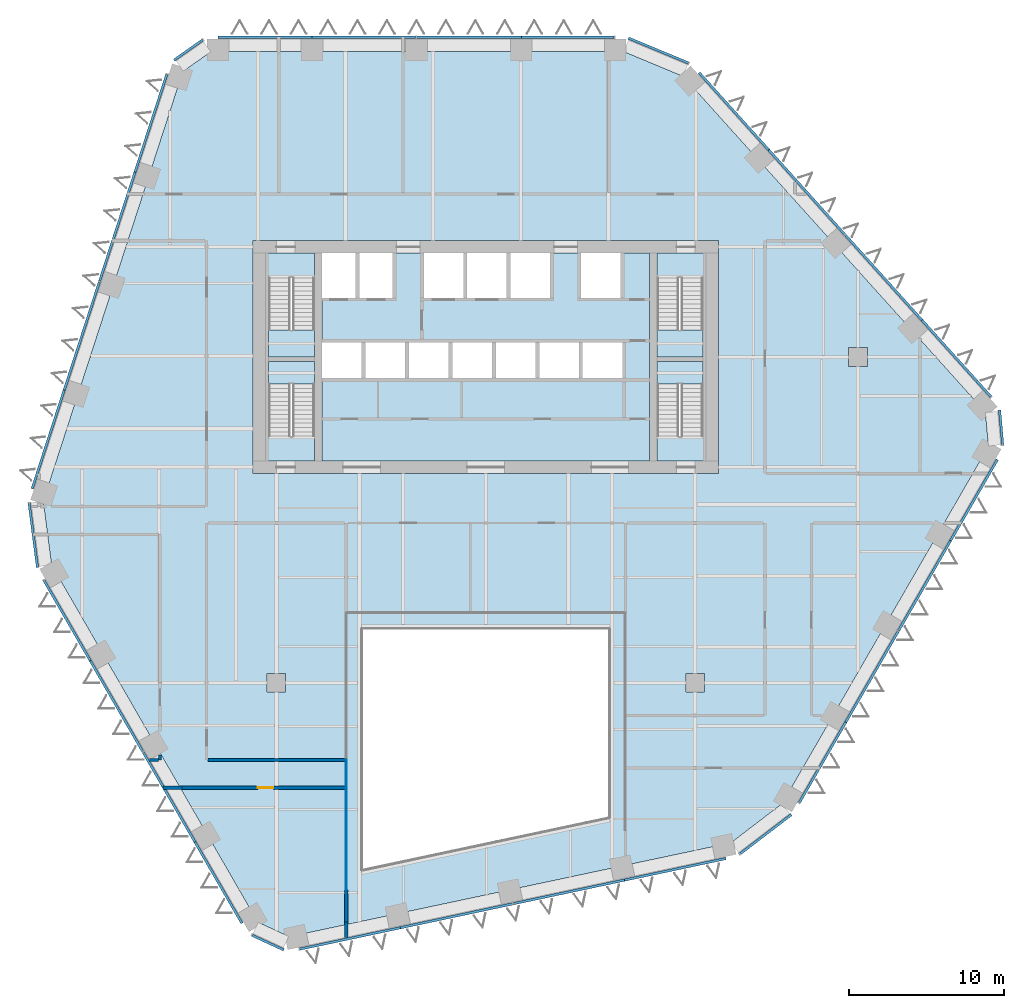
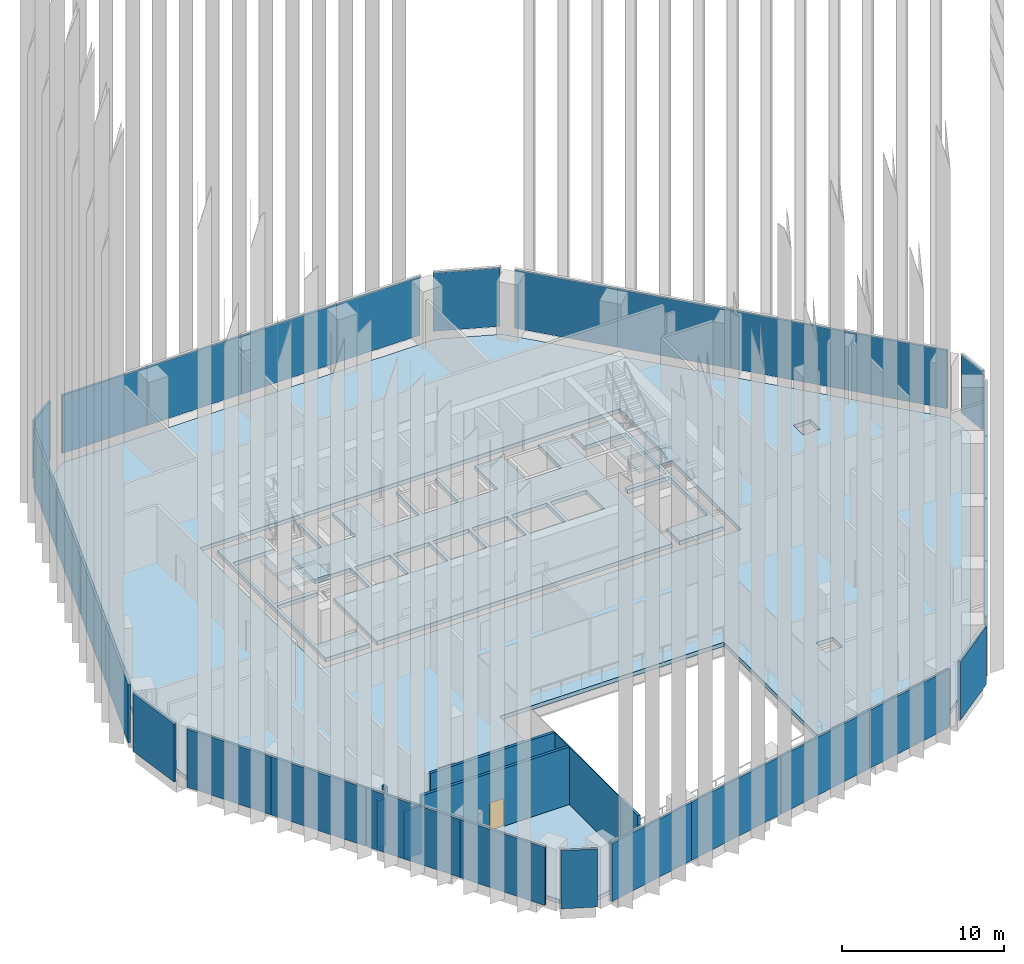
# One storey, part 10 of 18: 30 plates, 9 walls, 8 slabs, 1 door, 1 opening, 16 elements without a shape of their own.
"""IFC4 building model written with IfcOpenShell, lengths in metres."""

from ifc_helpers import new_model, si_unit, direction, frame, frame_2d, origin, origin_2d, place, context, subcontext, project, spatial, polyline, rectangle, outline, extrude, material, layer, layer_set, type_object, element, fill, aggregate, save


model = new_model("IFC4")

# Units and contexts
model_context = context("Model", 3, precision=1e-05, world=origin(), true_north=direction((0.0, 1.0)))
body_context = subcontext(model_context, "Body", "Model", "MODEL_VIEW")
ifc_project = project(units=[si_unit("LENGTHUNIT", "METRE"), si_unit("AREAUNIT", "SQUARE_METRE"), si_unit("VOLUMEUNIT", "CUBIC_METRE"), si_unit("PLANEANGLEUNIT", "RADIAN"), si_unit("MASSUNIT", "GRAM", prefix="KILO")], contexts=[model_context])

# Site, building, storey
site_placement = place(None, origin())
site = spatial("IfcSite", under=ifc_project, at=site_placement, CompositionType="ELEMENT")
building_placement = place(site_placement, origin())
building = spatial("IfcBuilding", under=site, at=building_placement, Name="Isthmus Gate Tower", CompositionType="ELEMENT")
storey_placement = place(building_placement, frame((0.0, 0.0, 166.300048828125)))
storey = spatial("IfcBuildingStorey", under=building, at=storey_placement, Name="L41", CompositionType="ELEMENT", Elevation=166.300048828125)

# Slabs
ifc_material_1 = material(Name="Concrete f'c 40 MPa", Category="concrete")
ifc_layer_1 = layer(ifc_material_1, 0.300048828125)
ifc_layer_set_1 = layer_set([ifc_layer_1], Name="CORE FLOOR SLAB 300")
slab_type_1 = type_object("IfcSlabType", Name="CORE FLOOR SLAB 300", PredefinedType="FLOOR", material=ifc_layer_set_1)
slab_1_placement = place(storey_placement, frame((0.0, 0.0, -0.300048828125)))
element("IfcSlab", 1, at=slab_1_placement, inside=storey, type_object=slab_type_1, Name="L41 core floor", PredefinedType="FLOOR", context=body_context, shape_type="SweptSolid", body=[
    extrude(outline(polyline([(-11.050048828125, 0.800048828125), (-11.050048828125, 2.402099609375), (-14.0, 2.402099609375), (-14.0, 7.199951171875), (-11.050048828125, 7.199951171875), (-11.050048828125, 7.5), (-14.0, 7.5), (-14.0, 12.597900390625), (-11.050048828125, 12.597900390625), (-11.050048828125, 14.199951171875), (-14.199951171875, 14.199951171875), (-14.199951171875, 0.800048828125), (-11.050048828125, 0.800048828125)])), origin(), (0.0, 0.0, 1.0), 0.300048828125),
])
slab_2_placement = place(storey_placement, frame((0.0, 0.0, -0.300048828125)))
element("IfcSlab", 2, at=slab_2_placement, inside=storey, type_object=slab_type_1, Name="L41 core floor", PredefinedType="FLOOR", context=body_context, shape_type="SweptSolid", body=[
    extrude(outline(polyline([(10.550048828125, 14.199951171875), (8.699951171875, 14.199951171875), (8.699951171875, 11.300048828125), (6.14990234375, 11.300048828125), (6.14990234375, 14.199951171875), (4.14990234375, 14.199951171875), (4.14990234375, 11.300048828125), (1.60009765625, 11.300048828125), (1.60009765625, 14.199951171875), (1.35009765625, 14.199951171875), (1.35009765625, 11.300048828125), (-1.199951171875, 11.300048828125), (-1.199951171875, 14.199951171875), (-1.449951171875, 14.199951171875), (-1.449951171875, 11.300048828125), (-4.0, 11.300048828125), (-4.0, 14.199951171875), (-6.0, 14.199951171875), (-6.0, 11.300048828125), (-8.14990234375, 11.300048828125), (-8.14990234375, 14.199951171875), (-8.39990234375, 14.199951171875), (-8.39990234375, 11.300048828125), (-10.550048828125, 11.300048828125), (-10.550048828125, 8.449951171875), (-8.0, 8.449951171875), (-8.0, 6.14990234375), (-10.550048828125, 6.14990234375), (-10.550048828125, 0.800048828125), (10.550048828125, 0.800048828125), (10.550048828125, 14.199951171875)]), holes=[polyline([(-5.199951171875, 8.449951171875), (-5.199951171875, 6.14990234375), (-7.75, 6.14990234375), (-7.75, 8.449951171875), (-5.199951171875, 8.449951171875)]), polyline([(-2.39990234375, 8.449951171875), (-2.39990234375, 6.14990234375), (-4.949951171875, 6.14990234375), (-4.949951171875, 8.449951171875), (-2.39990234375, 8.449951171875)]), polyline([(0.39990234375, 8.449951171875), (0.39990234375, 6.14990234375), (-2.14990234375, 6.14990234375), (-2.14990234375, 8.449951171875), (0.39990234375, 8.449951171875)]), polyline([(3.199951171875, 8.449951171875), (3.199951171875, 6.14990234375), (0.64990234375, 6.14990234375), (0.64990234375, 8.449951171875), (3.199951171875, 8.449951171875)]), polyline([(6.0, 8.449951171875), (6.0, 6.14990234375), (3.449951171875, 6.14990234375), (3.449951171875, 8.449951171875), (6.0, 8.449951171875)]), polyline([(8.800048828125, 8.449951171875), (8.800048828125, 6.14990234375), (6.25, 6.14990234375), (6.25, 8.449951171875), (8.800048828125, 8.449951171875)])]), origin(), (0.0, 0.0, 1.0), 0.300048828125),
])
slab_3_placement = place(storey_placement, frame((0.0, 0.0, -0.300048828125)))
element("IfcSlab", 3, at=slab_3_placement, inside=storey, type_object=slab_type_1, Name="L41 core floor", PredefinedType="FLOOR", context=body_context, shape_type="SweptSolid", body=[
    extrude(outline(polyline([(11.050048828125, 14.199951171875), (11.050048828125, 12.597900390625), (14.0, 12.597900390625), (14.0, 7.5), (11.050048828125, 7.5), (11.050048828125, 7.199951171875), (14.0, 7.199951171875), (14.0, 2.402099609375), (11.050048828125, 2.402099609375), (11.050048828125, 0.800048828125), (14.199951171875, 0.800048828125), (14.199951171875, 14.199951171875), (11.050048828125, 14.199951171875)])), origin(), (0.0, 0.0, 1.0), 0.300048828125),
])

# Curtain wall, plates
ifc_material_2 = material(Name="Aluminium, pale champagne anodised", Category="aluminium")
ifc_layer_2 = layer(ifc_material_2, 0.199951171875)
ifc_layer_set_2 = layer_set([ifc_layer_2], Name="CW-2 LOUVRE CURTAIN WALL 200 DEEP")
curtain_wall_type = type_object("IfcCurtainWallType", Name="CW-2 LOUVRE CURTAIN WALL 200 DEEP", PredefinedType="NOTDEFINED", material=ifc_layer_set_2)
curtain_wall_1_placement = place(storey_placement, origin())
curtain_wall_1 = element("IfcCurtainWall", 4, at=curtain_wall_1_placement, inside=storey, type_object=curtain_wall_type, Name="CW-2 N L41", PredefinedType="NOTDEFINED")
ifc_material_3 = material(Name="Aluminium louvre blades, pale champagne anodised", Category="aluminium")
ifc_layer_3 = layer(ifc_material_3, 0.159912109375)
ifc_layer_set_3 = layer_set([ifc_layer_3], Name="CW-2 LOUVRE PANEL 160")
plate_type = type_object("IfcPlateType", Name="CW-2 LOUVRE PANEL 160", PredefinedType="CURTAIN_PANEL", material=ifc_layer_set_3)
plate_1_placement = place(storey_placement, frame((5.283447265625, 28.1201171875, 0.0), z_axis=(0.0, 0.0, 1.0), x_axis=(-1.0, 0.0, 0.0)))
plate_1 = element("IfcPlate", 5, at=plate_1_placement, type_object=plate_type, Name="CW-2 louvre panel", PredefinedType="CURTAIN_PANEL", context=body_context, shape_type="SweptSolid", body=[
    extrude(rectangle(XDim=5.990234375, YDim=0.159912109375, at=origin_2d()), origin(), (0.0, 0.0, 1.0), 4.389892578125),
])
plate_2_placement = place(storey_placement, frame((-1.086669921875, 28.1201171875, 0.0), z_axis=(0.0, 0.0, 1.0), x_axis=(-1.0, 0.0, 0.0)))
plate_2 = element("IfcPlate", 6, at=plate_2_placement, type_object=plate_type, Name="CW-2 louvre panel", PredefinedType="CURTAIN_PANEL", context=body_context, shape_type="SweptSolid", body=[
    extrude(rectangle(XDim=6.750244140625, YDim=0.159912109375, at=origin_2d()), origin(), (0.0, 0.0, 1.0), 4.389892578125),
])
plate_3_placement = place(storey_placement, frame((-7.86669921875, 28.1201171875, 0.0), z_axis=(0.0, 0.0, 1.0), x_axis=(-1.0, 0.0, 0.0)))
plate_3 = element("IfcPlate", 7, at=plate_3_placement, type_object=plate_type, Name="CW-2 louvre panel", PredefinedType="CURTAIN_PANEL", context=body_context, shape_type="SweptSolid", body=[
    extrude(rectangle(XDim=6.690185546875, YDim=0.159912109375, at=origin_2d()), origin(), (0.0, 0.0, 1.0), 4.389892578125),
])
plate_4_placement = place(storey_placement, frame((-14.23681640625, 28.1201171875, 0.0), z_axis=(0.0, 0.0, 1.0), x_axis=(-1.0, 0.0, 0.0)))
plate_4 = element("IfcPlate", 8, at=plate_4_placement, type_object=plate_type, Name="CW-2 louvre panel", PredefinedType="CURTAIN_PANEL", context=body_context, shape_type="SweptSolid", body=[
    extrude(rectangle(XDim=6.050048828125, YDim=0.159912109375, at=origin_2d()), origin(), (0.0, 0.0, 1.0), 4.389892578125),
])
aggregate(curtain_wall_1, [plate_1, plate_2, plate_3, plate_4])

# Curtain wall, plate
curtain_wall_2_placement = place(storey_placement, origin())
curtain_wall_2 = element("IfcCurtainWall", 9, at=curtain_wall_2_placement, inside=storey, type_object=curtain_wall_type, Name="CW-2 N-NW L41", PredefinedType="NOTDEFINED")
plate_5_placement = place(storey_placement, frame((-19.17626953125, 27.29248046875, 0.0), z_axis=(0.0, 0.0, 1.0), x_axis=(-0.81785959165, -0.57541783805, 0.0)))
plate_5 = element("IfcPlate", 10, at=plate_5_placement, type_object=plate_type, Name="CW-2 louvre panel", PredefinedType="CURTAIN_PANEL", context=body_context, shape_type="SweptSolid", body=[
    extrude(rectangle(XDim=2.258544921875, YDim=0.159912109375, at=origin_2d()), origin(), (0.0, 0.0, 1.0), 4.389892578125),
])
aggregate(curtain_wall_2, [plate_5])

# Curtain wall, plates
curtain_wall_3_placement = place(storey_placement, origin())
curtain_wall_3 = element("IfcCurtainWall", 11, at=curtain_wall_3_placement, inside=storey, type_object=curtain_wall_type, Name="CW-2 NW L41", PredefinedType="NOTDEFINED")
plate_6_placement = place(storey_placement, frame((-21.58837890625, 22.576171875, 0.0), z_axis=(0.0, 0.0, 1.0), x_axis=(-0.309016994375, -0.951056516295, 0.0)))
plate_6 = element("IfcPlate", 12, at=plate_6_placement, type_object=plate_type, Name="CW-2 louvre panel", PredefinedType="CURTAIN_PANEL", context=body_context, shape_type="SweptSolid", body=[
    extrude(rectangle(XDim=6.630859375, YDim=0.159912109375, at=origin_2d()), origin(), (0.0, 0.0, 1.0), 4.389892578125),
])
plate_7_placement = place(storey_placement, frame((-23.7548828125, 15.908447265625, 0.0), z_axis=(0.0, 0.0, 1.0), x_axis=(-0.309016994375, -0.951056516295, 0.0)))
plate_7 = element("IfcPlate", 13, at=plate_7_placement, type_object=plate_type, Name="CW-2 louvre panel", PredefinedType="CURTAIN_PANEL", context=body_context, shape_type="SweptSolid", body=[
    extrude(rectangle(XDim=7.390869140625, YDim=0.159912109375, at=origin_2d()), origin(), (0.0, 0.0, 1.0), 4.389892578125),
])
plate_8_placement = place(storey_placement, frame((-26.0478515625, 8.850830078125, 0.0), z_axis=(0.0, 0.0, 1.0), x_axis=(-0.309016994375, -0.951056516295, 0.0)))
plate_8 = element("IfcPlate", 14, at=plate_8_placement, type_object=plate_type, Name="CW-2 louvre panel", PredefinedType="CURTAIN_PANEL", context=body_context, shape_type="SweptSolid", body=[
    extrude(rectangle(XDim=7.330810546875, YDim=0.159912109375, at=origin_2d()), origin(), (0.0, 0.0, 1.0), 4.389892578125),
])
plate_9_placement = place(storey_placement, frame((-28.21435546875, 2.18310546875, 0.0), z_axis=(0.0, 0.0, 1.0), x_axis=(-0.309016994375, -0.951056516295, 0.0)))
plate_9 = element("IfcPlate", 15, at=plate_9_placement, type_object=plate_type, Name="CW-2 louvre panel", PredefinedType="CURTAIN_PANEL", context=body_context, shape_type="SweptSolid", body=[
    extrude(rectangle(XDim=6.690673828125, YDim=0.159912109375, at=origin_2d()), origin(), (0.0, 0.0, 1.0), 4.389892578125),
])
aggregate(curtain_wall_3, [plate_6, plate_7, plate_8, plate_9])

# Curtain wall, plate
curtain_wall_4_placement = place(storey_placement, origin())
curtain_wall_4 = element("IfcCurtainWall", 16, at=curtain_wall_4_placement, inside=storey, type_object=curtain_wall_type, Name="CW-2 NW-SW L41", PredefinedType="NOTDEFINED")
plate_10_placement = place(storey_placement, frame((-29.173095703125, -3.990966796875, 0.0), z_axis=(0.0, 0.0, 1.0), x_axis=(0.129164534, -0.991623175988, 0.0)))
plate_10 = element("IfcPlate", 17, at=plate_10_placement, type_object=plate_type, Name="CW-2 louvre panel", PredefinedType="CURTAIN_PANEL", context=body_context, shape_type="SweptSolid", body=[
    extrude(rectangle(XDim=4.181396484375, YDim=0.159912109375, at=origin_2d()), origin(), (0.0, 0.0, 1.0), 4.389892578125),
])
aggregate(curtain_wall_4, [plate_10])

# Curtain wall, plates
curtain_wall_5_placement = place(storey_placement, origin())
curtain_wall_5 = element("IfcCurtainWall", 18, at=curtain_wall_5_placement, inside=storey, type_object=curtain_wall_type, Name="CW-2 SW L41", PredefinedType="NOTDEFINED")
plate_11_placement = place(storey_placement, frame((-26.994384765625, -9.484375, 0.0), z_axis=(0.0, 0.0, 1.0), x_axis=(0.5, -0.866025403784, 0.0)))
plate_11 = element("IfcPlate", 19, at=plate_11_placement, type_object=plate_type, Name="CW-2 louvre panel", PredefinedType="CURTAIN_PANEL", context=body_context, shape_type="SweptSolid", body=[
    extrude(rectangle(XDim=5.990234375, YDim=0.159912109375, at=origin_2d()), origin(), (0.0, 0.0, 1.0), 4.389892578125),
])
plate_12_placement = place(storey_placement, frame((-23.809326171875, -15.0009765625, 0.0), z_axis=(0.0, 0.0, 1.0), x_axis=(0.5, -0.866025403784, 0.0)))
plate_12 = element("IfcPlate", 20, at=plate_12_placement, type_object=plate_type, Name="CW-2 louvre panel", PredefinedType="CURTAIN_PANEL", context=body_context, shape_type="SweptSolid", body=[
    extrude(rectangle(XDim=6.750244140625, YDim=0.159912109375, at=origin_2d()), origin(), (0.0, 0.0, 1.0), 4.389892578125),
])
plate_13_placement = place(storey_placement, frame((-20.419189453125, -20.872802734375, 0.0), z_axis=(0.0, 0.0, 1.0), x_axis=(0.5, -0.866025403784, 0.0)))
plate_13 = element("IfcPlate", 21, at=plate_13_placement, type_object=plate_type, Name="CW-2 louvre panel", PredefinedType="CURTAIN_PANEL", context=body_context, shape_type="SweptSolid", body=[
    extrude(rectangle(XDim=6.690185546875, YDim=0.159912109375, at=origin_2d()), origin(), (0.0, 0.0, 1.0), 4.389892578125),
])
plate_14_placement = place(storey_placement, frame((-17.234130859375, -26.389404296875, 0.0), z_axis=(0.0, 0.0, 1.0), x_axis=(0.5, -0.866025403784, 0.0)))
plate_14 = element("IfcPlate", 22, at=plate_14_placement, type_object=plate_type, Name="CW-2 louvre panel", PredefinedType="CURTAIN_PANEL", context=body_context, shape_type="SweptSolid", body=[
    extrude(rectangle(XDim=6.050048828125, YDim=0.159912109375, at=origin_2d()), origin(), (0.0, 0.0, 1.0), 4.389892578125),
])
aggregate(curtain_wall_5, [plate_11, plate_12, plate_13, plate_14])

# Curtain wall, plate
curtain_wall_6_placement = place(storey_placement, origin())
curtain_wall_6 = element("IfcCurtainWall", 23, at=curtain_wall_6_placement, inside=storey, type_object=curtain_wall_type, Name="CW-2 SW-S L41", PredefinedType="NOTDEFINED")
plate_15_placement = place(storey_placement, frame((-14.0478515625, -30.25341796875, 0.0), z_axis=(0.0, 0.0, 1.0), x_axis=(0.907256261367, -0.420578264073, 0.0)))
plate_15 = element("IfcPlate", 24, at=plate_15_placement, type_object=plate_type, Name="CW-2 louvre panel", PredefinedType="CURTAIN_PANEL", context=body_context, shape_type="SweptSolid", body=[
    extrude(rectangle(XDim=2.258544921875, YDim=0.159912109375, at=origin_2d()), origin(), (0.0, 0.0, 1.0), 4.389892578125),
])
aggregate(curtain_wall_6, [plate_15])

# Curtain wall, plates
curtain_wall_7_placement = place(storey_placement, origin())
curtain_wall_7 = element("IfcCurtainWall", 25, at=curtain_wall_7_placement, inside=storey, type_object=curtain_wall_type, Name="CW-2 S L41", PredefinedType="NOTDEFINED")
plate_16_placement = place(storey_placement, frame((-8.75732421875, -29.984130859375, 0.0), z_axis=(0.0, 0.0, 1.0), x_axis=(0.978147600734, 0.207911690818, 0.0)))
plate_16 = element("IfcPlate", 26, at=plate_16_placement, type_object=plate_type, Name="CW-2 louvre panel", PredefinedType="CURTAIN_PANEL", context=body_context, shape_type="SweptSolid", body=[
    extrude(rectangle(XDim=6.630859375, YDim=0.159912109375, at=origin_2d()), origin(), (0.0, 0.0, 1.0), 4.389892578125),
])
plate_17_placement = place(storey_placement, frame((-1.899658203125, -28.5263671875, 0.0), z_axis=(0.0, 0.0, 1.0), x_axis=(0.978147600734, 0.207911690818, 0.0)))
plate_17 = element("IfcPlate", 27, at=plate_17_placement, type_object=plate_type, Name="CW-2 louvre panel", PredefinedType="CURTAIN_PANEL", context=body_context, shape_type="SweptSolid", body=[
    extrude(rectangle(XDim=7.390869140625, YDim=0.159912109375, at=origin_2d()), origin(), (0.0, 0.0, 1.0), 4.389892578125),
])
plate_18_placement = place(storey_placement, frame((5.35888671875, -26.983642578125, 0.0), z_axis=(0.0, 0.0, 1.0), x_axis=(0.978147600734, 0.207911690818, 0.0)))
plate_18 = element("IfcPlate", 28, at=plate_18_placement, type_object=plate_type, Name="CW-2 louvre panel", PredefinedType="CURTAIN_PANEL", context=body_context, shape_type="SweptSolid", body=[
    extrude(rectangle(XDim=7.330810546875, YDim=0.159912109375, at=origin_2d()), origin(), (0.0, 0.0, 1.0), 4.389892578125),
])
plate_19_placement = place(storey_placement, frame((12.216552734375, -25.52587890625, 0.0), z_axis=(0.0, 0.0, 1.0), x_axis=(0.978147600734, 0.207911690818, 0.0)))
plate_19 = element("IfcPlate", 29, at=plate_19_placement, type_object=plate_type, Name="CW-2 louvre panel", PredefinedType="CURTAIN_PANEL", context=body_context, shape_type="SweptSolid", body=[
    extrude(rectangle(XDim=6.690673828125, YDim=0.159912109375, at=origin_2d()), origin(), (0.0, 0.0, 1.0), 4.389892578125),
])
aggregate(curtain_wall_7, [plate_16, plate_17, plate_18, plate_19])

# Curtain wall, plate
curtain_wall_8_placement = place(storey_placement, origin())
curtain_wall_8 = element("IfcCurtainWall", 30, at=curtain_wall_8_placement, inside=storey, type_object=curtain_wall_type, Name="CW-2 S-SE L41", PredefinedType="NOTDEFINED")
plate_20_placement = place(storey_placement, frame((18.042724609375, -23.269287109375, 0.0), z_axis=(0.0, 0.0, 1.0), x_axis=(0.794188594387, 0.607671355706, 0.0)))
plate_20 = element("IfcPlate", 31, at=plate_20_placement, type_object=plate_type, Name="CW-2 louvre panel", PredefinedType="CURTAIN_PANEL", context=body_context, shape_type="SweptSolid", body=[
    extrude(rectangle(XDim=4.181396484375, YDim=0.159912109375, at=origin_2d()), origin(), (0.0, 0.0, 1.0), 4.389892578125),
])
aggregate(curtain_wall_8, [plate_20])

# Curtain wall, plates
curtain_wall_9_placement = place(storey_placement, origin())
curtain_wall_9 = element("IfcCurtainWall", 32, at=curtain_wall_9_placement, inside=storey, type_object=curtain_wall_type, Name="CW-2 SE L41", PredefinedType="NOTDEFINED")
plate_21_placement = place(storey_placement, frame((21.7109375, -18.6357421875, 0.0), z_axis=(0.0, 0.0, 1.0), x_axis=(0.5, 0.866025403784, 0.0)))
plate_21 = element("IfcPlate", 33, at=plate_21_placement, type_object=plate_type, Name="CW-2 louvre panel", PredefinedType="CURTAIN_PANEL", context=body_context, shape_type="SweptSolid", body=[
    extrude(rectangle(XDim=5.990234375, YDim=0.159912109375, at=origin_2d()), origin(), (0.0, 0.0, 1.0), 4.389892578125),
])
plate_22_placement = place(storey_placement, frame((24.89599609375, -13.118896484375, 0.0), z_axis=(0.0, 0.0, 1.0), x_axis=(0.5, 0.866025403784, 0.0)))
plate_22 = element("IfcPlate", 34, at=plate_22_placement, type_object=plate_type, Name="CW-2 louvre panel", PredefinedType="CURTAIN_PANEL", context=body_context, shape_type="SweptSolid", body=[
    extrude(rectangle(XDim=6.750244140625, YDim=0.159912109375, at=origin_2d()), origin(), (0.0, 0.0, 1.0), 4.389892578125),
])
plate_23_placement = place(storey_placement, frame((28.2861328125, -7.2470703125, 0.0), z_axis=(0.0, 0.0, 1.0), x_axis=(0.5, 0.866025403784, 0.0)))
plate_23 = element("IfcPlate", 35, at=plate_23_placement, type_object=plate_type, Name="CW-2 louvre panel", PredefinedType="CURTAIN_PANEL", context=body_context, shape_type="SweptSolid", body=[
    extrude(rectangle(XDim=6.690185546875, YDim=0.159912109375, at=origin_2d()), origin(), (0.0, 0.0, 1.0), 4.389892578125),
])
plate_24_placement = place(storey_placement, frame((31.47119140625, -1.73046875, 0.0), z_axis=(0.0, 0.0, 1.0), x_axis=(0.5, 0.866025403784, 0.0)))
plate_24 = element("IfcPlate", 36, at=plate_24_placement, type_object=plate_type, Name="CW-2 louvre panel", PredefinedType="CURTAIN_PANEL", context=body_context, shape_type="SweptSolid", body=[
    extrude(rectangle(XDim=6.050048828125, YDim=0.159912109375, at=origin_2d()), origin(), (0.0, 0.0, 1.0), 4.389892578125),
])
aggregate(curtain_wall_9, [plate_21, plate_22, plate_23, plate_24])

# Curtain wall, plate
curtain_wall_10_placement = place(storey_placement, origin())
curtain_wall_10 = element("IfcCurtainWall", 37, at=curtain_wall_10_placement, inside=storey, type_object=curtain_wall_type, Name="CW-2 SE-NE L41", PredefinedType="NOTDEFINED")
plate_25_placement = place(storey_placement, frame((33.22412109375, 2.9609375, 0.0), z_axis=(0.0, 0.0, 1.0), x_axis=(-0.089396669717, 0.995996102123, 0.0)))
plate_25 = element("IfcPlate", 38, at=plate_25_placement, type_object=plate_type, Name="CW-2 louvre panel", PredefinedType="CURTAIN_PANEL", context=body_context, shape_type="SweptSolid", body=[
    extrude(rectangle(XDim=2.258544921875, YDim=0.159912109375, at=origin_2d()), origin(), (0.0, 0.0, 1.0), 4.389892578125),
])
aggregate(curtain_wall_10, [plate_25])

# Curtain wall, plates
curtain_wall_11_placement = place(storey_placement, origin())
curtain_wall_11 = element("IfcCurtainWall", 39, at=curtain_wall_11_placement, inside=storey, type_object=curtain_wall_type, Name="CW-2 NE L41", PredefinedType="NOTDEFINED")
plate_26_placement = place(storey_placement, frame((30.345703125, 7.407958984375, 0.0), z_axis=(0.0, 0.0, 1.0), x_axis=(-0.669130606359, 0.743144825477, 0.0)))
plate_26 = element("IfcPlate", 40, at=plate_26_placement, type_object=plate_type, Name="CW-2 louvre panel", PredefinedType="CURTAIN_PANEL", context=body_context, shape_type="SweptSolid", body=[
    extrude(rectangle(XDim=6.630859375, YDim=0.159912109375, at=origin_2d()), origin(), (0.0, 0.0, 1.0), 4.389892578125),
])
plate_27_placement = place(storey_placement, frame((25.654541015625, 12.617919921875, 0.0), z_axis=(0.0, 0.0, 1.0), x_axis=(-0.669130606359, 0.743144825477, 0.0)))
plate_27 = element("IfcPlate", 41, at=plate_27_placement, type_object=plate_type, Name="CW-2 louvre panel", PredefinedType="CURTAIN_PANEL", context=body_context, shape_type="SweptSolid", body=[
    extrude(rectangle(XDim=7.390869140625, YDim=0.159912109375, at=origin_2d()), origin(), (0.0, 0.0, 1.0), 4.389892578125),
])
plate_28_placement = place(storey_placement, frame((20.68896484375, 18.1328125, 0.0), z_axis=(0.0, 0.0, 1.0), x_axis=(-0.669130606359, 0.743144825477, 0.0)))
plate_28 = element("IfcPlate", 42, at=plate_28_placement, type_object=plate_type, Name="CW-2 louvre panel", PredefinedType="CURTAIN_PANEL", context=body_context, shape_type="SweptSolid", body=[
    extrude(rectangle(XDim=7.330810546875, YDim=0.159912109375, at=origin_2d()), origin(), (0.0, 0.0, 1.0), 4.389892578125),
])
plate_29_placement = place(storey_placement, frame((15.997802734375, 23.3427734375, 0.0), z_axis=(0.0, 0.0, 1.0), x_axis=(-0.669130606359, 0.743144825477, 0.0)))
plate_29 = element("IfcPlate", 43, at=plate_29_placement, type_object=plate_type, Name="CW-2 louvre panel", PredefinedType="CURTAIN_PANEL", context=body_context, shape_type="SweptSolid", body=[
    extrude(rectangle(XDim=6.690673828125, YDim=0.159912109375, at=origin_2d()), origin(), (0.0, 0.0, 1.0), 4.389892578125),
])
aggregate(curtain_wall_11, [plate_26, plate_27, plate_28, plate_29])

# Curtain wall, plate
curtain_wall_12_placement = place(storey_placement, origin())
curtain_wall_12 = element("IfcCurtainWall", 44, at=curtain_wall_12_placement, inside=storey, type_object=curtain_wall_type, Name="CW-2 NE-N L41", PredefinedType="NOTDEFINED")
plate_30_placement = place(storey_placement, frame((11.13037109375, 27.26025390625, 0.0), z_axis=(0.0, 0.0, 1.0), x_axis=(-0.923353128387, 0.383951820282, 0.0)))
plate_30 = element("IfcPlate", 45, at=plate_30_placement, type_object=plate_type, Name="CW-2 louvre panel", PredefinedType="CURTAIN_PANEL", context=body_context, shape_type="SweptSolid", body=[
    extrude(rectangle(XDim=4.181396484375, YDim=0.159912109375, at=origin_2d()), origin(), (0.0, 0.0, 1.0), 4.389892578125),
])
aggregate(curtain_wall_12, [plate_30])

# Slab
ifc_material_4 = material(Name="Concrete f'c 40 MPa", Category="concrete")
ifc_layer_4 = layer(ifc_material_4, 0.300048828125)
ifc_layer_set_4 = layer_set([ifc_layer_4], Name="PLANT FLOOR SLAB 300")
slab_type_2 = type_object("IfcSlabType", Name="PLANT FLOOR SLAB 300", PredefinedType="FLOOR", material=ifc_layer_set_4)
slab_4_placement = place(storey_placement, frame((0.0, 0.0, -0.300048828125)))
element("IfcSlab", 46, at=slab_4_placement, inside=storey, type_object=slab_type_2, Name="str-slab-L41-1", PredefinedType="FLOOR", context=body_context, shape_type="SweptSolid", body=[
    extrude(outline(polyline([(12.72802734375, 25.599365234375), (32.21044921875, 3.9619140625), (32.410400390625, 1.736083984375), (19.116455078125, -21.289306640625), (15.8056640625, -23.822509765625), (-12.674072265625, -29.876220703125), (-14.701416015625, -28.936279296875), (-27.995361328125, -5.91064453125), (-28.53369140625, -1.77685546875), (-19.536376953125, 25.9140625), (-17.708740234375, 27.199951171875), (8.87890625, 27.199951171875), (12.72802734375, 25.599365234375)]), holes=[polyline([(-8.0, -10.0), (-8.0, -25.611083984375), (8.0, -22.210205078125), (8.0, -10.0), (-8.0, -10.0)]), polyline([(-14.10009765625, -12.89990234375), (-14.10009765625, -14.10009765625), (-12.89990234375, -14.10009765625), (-12.89990234375, -12.89990234375), (-14.10009765625, -12.89990234375)]), polyline([(14.10009765625, -12.89990234375), (12.89990234375, -12.89990234375), (12.89990234375, -14.10009765625), (14.10009765625, -14.10009765625), (14.10009765625, -12.89990234375)]), polyline([(-15.0, 15.0), (-15.0, 0.0), (15.0, 0.0), (15.0, 15.0), (-15.0, 15.0)]), polyline([(24.60009765625, 6.89990234375), (24.60009765625, 8.10009765625), (23.39990234375, 8.10009765625), (23.39990234375, 6.89990234375), (24.60009765625, 6.89990234375)])]), origin(), (0.0, 0.0, 1.0), 0.300048828125),
])

# Stair, slab
ifc_material_5 = material(Name="Concrete f'c 40 MPa", Category="concrete")
stair_type = type_object("IfcStairType", Name="CORE STAIR 26 RISERS", PredefinedType="HALF_TURN_STAIR", material=ifc_material_5)
stair_1_placement = place(storey_placement, origin())
stair_1 = element("IfcStair", 47, at=stair_1_placement, inside=storey, type_object=stair_type, Name="L41 Exit Stair 1", PredefinedType="HALF_TURN_STAIR")
ifc_material_6 = material(Name="Concrete f'c 40 MPa", Category="concrete")
ifc_layer_5 = layer(ifc_material_6, 0.199951171875)
ifc_layer_set_5 = layer_set([ifc_layer_5])
slab_type_3 = type_object("IfcSlabType", Name="STAIR LANDING RC 200", PredefinedType="LANDING", material=ifc_layer_set_5)
slab_5_placement = place(storey_placement, frame((0.0, 0.0, 2.050048828125)))
slab_5 = element("IfcSlab", 48, at=slab_5_placement, type_object=slab_type_3, Name="ST1 landing 1", PredefinedType="LANDING", context=body_context, shape_type="SweptSolid", body=[
    extrude(outline(polyline([(-14.0, 9.239990234375), (-14.0, 7.5), (-11.050048828125, 7.5), (-11.050048828125, 9.239990234375), (-14.0, 9.239990234375)])), origin(), (0.0, 0.0, 1.0), 0.199951171875),
])
aggregate(stair_1, [slab_5])

stair_2_placement = place(storey_placement, origin())
stair_2 = element("IfcStair", 49, at=stair_2_placement, inside=storey, type_object=stair_type, Name="L41 Exit Stair 2", PredefinedType="HALF_TURN_STAIR")
slab_6_placement = place(storey_placement, frame((0.0, 0.0, 2.050048828125)))
slab_6 = element("IfcSlab", 50, at=slab_6_placement, type_object=slab_type_3, Name="ST2 landing 1", PredefinedType="LANDING", context=body_context, shape_type="SweptSolid", body=[
    extrude(outline(polyline([(11.050048828125, 9.239990234375), (11.050048828125, 7.5), (14.0, 7.5), (14.0, 9.239990234375), (11.050048828125, 9.239990234375)])), origin(), (0.0, 0.0, 1.0), 0.199951171875),
])
aggregate(stair_2, [slab_6])

stair_3_placement = place(storey_placement, origin())
stair_3 = element("IfcStair", 51, at=stair_3_placement, inside=storey, type_object=stair_type, Name="L41 Exit Stair 7", PredefinedType="HALF_TURN_STAIR")
slab_7_placement = place(storey_placement, frame((0.0, 0.0, 2.050048828125)))
slab_7 = element("IfcSlab", 52, at=slab_7_placement, type_object=slab_type_3, Name="ST7 landing 1", PredefinedType="LANDING", context=body_context, shape_type="SweptSolid", body=[
    extrude(outline(polyline([(-11.050048828125, 5.760009765625), (-11.050048828125, 7.199951171875), (-14.0, 7.199951171875), (-14.0, 5.760009765625), (-11.050048828125, 5.760009765625)])), origin(), (0.0, 0.0, 1.0), 0.199951171875),
])
aggregate(stair_3, [slab_7])

stair_4_placement = place(storey_placement, origin())
stair_4 = element("IfcStair", 53, at=stair_4_placement, inside=storey, type_object=stair_type, Name="L41 Exit Stair 8", PredefinedType="HALF_TURN_STAIR")
slab_8_placement = place(storey_placement, frame((0.0, 0.0, 2.050048828125)))
slab_8 = element("IfcSlab", 54, at=slab_8_placement, type_object=slab_type_3, Name="ST8 landing 1", PredefinedType="LANDING", context=body_context, shape_type="SweptSolid", body=[
    extrude(outline(polyline([(14.0, 5.760009765625), (14.0, 7.199951171875), (11.050048828125, 7.199951171875), (11.050048828125, 5.760009765625), (14.0, 5.760009765625)])), origin(), (0.0, 0.0, 1.0), 0.199951171875),
])
aggregate(stair_4, [slab_8])

# Wall
ifc_material_7 = material(Name="Concrete f'c 30 MPa", Category="concrete")
ifc_layer_6 = layer(ifc_material_7, 0.199951171875)
ifc_layer_set_6 = layer_set([ifc_layer_6], Name="Fire-rated block wall 200")
wall_type_1 = type_object("IfcWallType", Name="Fire-rated block wall 200", PredefinedType="PARTITIONING", material=ifc_layer_set_6)
wall_1_placement = place(storey_placement, frame((-20.798583984375, -20.27001953125, 0.0), z_axis=(0.0, 0.0, 1.0), x_axis=(1.0, 0.0, 0.0)))
element("IfcWall", 55, at=wall_1_placement, inside=storey, type_object=wall_type_1, Name="Fire-rated wall", PredefinedType="PARTITIONING", context=body_context, shape_type="SweptSolid", body=[
    extrude(rectangle(XDim=1.208984375, YDim=0.199951171875, at=frame_2d((0.6044921875, 0.0))), origin(), (0.0, 0.0, 1.0), 3.599853515625),
])

# Wall, opening, door
wall_2_placement = place(storey_placement, frame((-19.589599609375, -20.27001953125, 0.0), z_axis=(0.0, 0.0, 1.0), x_axis=(1.0, 0.0, 0.0)))
wall_2 = element("IfcWall", 56, at=wall_2_placement, inside=storey, type_object=wall_type_1, Name="Fire-rated wall", PredefinedType="PARTITIONING", context=body_context, shape_type="SweptSolid", body=[
    extrude(rectangle(XDim=10.5595703125, YDim=0.199951171875, at=frame_2d((5.27978515625, 0.0))), origin(), (0.0, 0.0, 1.0), 4.349853515625),
])
opening_placement = place(wall_2_placement, frame((4.89990234375, 0.0, 0.0)))
opening = element("IfcOpeningElement", 57, at=opening_placement, cuts=wall_2, Name="Opening DP41-13", PredefinedType="OPENING", context=body_context, shape_type="SweptSolid", body=[
    extrude(rectangle(XDim=1.0, YDim=2.10009765625, at=frame_2d((0.5, 1.050048828125))), frame((0.0, 0.10986328125, 0.0), z_axis=(0.0, -1.0, 0.0), x_axis=(1.0, 0.0, 0.0)), (0.0, 0.0, 1.0), 0.219970703125),
])
ifc_material_8 = material(Name="Steel fire door with intumescent seals", Category="steel")
door_type = type_object("IfcDoorType", Name="Fire door 1000 x 2100", OperationType="SINGLE_SWING_LEFT", PredefinedType="DOOR", material=ifc_material_8)
door_placement = place(opening_placement, origin())
door = element("IfcDoor", 58, at=door_placement, inside=storey, type_object=door_type, Name="Door DP41-13", OperationType="SINGLE_SWING_LEFT", OverallHeight=2.10009765625, OverallWidth=1.0, PredefinedType="DOOR", context=body_context, shape_type="SweptSolid", body=[
    extrude(rectangle(XDim=1.0, YDim=2.10009765625, at=frame_2d((0.5, 1.050048828125))), frame((0.0, 0.02490234375, 0.0), z_axis=(0.0, -1.0, 0.0), x_axis=(1.0, 0.0, 0.0)), (0.0, 0.0, 1.0), 0.050048828125),
])
fill(opening, door)

# Walls
wall_3_placement = place(storey_placement, frame((-21.66796875, -18.469970703125, 0.0), z_axis=(0.0, 0.0, 1.0), x_axis=(1.0, 0.0, 0.0)))
element("IfcWall", 59, at=wall_3_placement, inside=storey, type_object=wall_type_1, Name="Fire-rated wall", PredefinedType="PARTITIONING", context=body_context, shape_type="SweptSolid", body=[
    extrude(rectangle(XDim=0.56787109375, YDim=0.199951171875, at=frame_2d((0.283935546875, 0.0))), origin(), (0.0, 0.0, 1.0), 3.599853515625),
])
wall_4_placement = place(storey_placement, frame((-17.89990234375, -18.469970703125, 0.0), z_axis=(0.0, 0.0, 1.0), x_axis=(1.0, 0.0, 0.0)))
element("IfcWall", 60, at=wall_4_placement, inside=storey, type_object=wall_type_1, Name="Fire-rated wall", PredefinedType="PARTITIONING", context=body_context, shape_type="SweptSolid", body=[
    extrude(rectangle(XDim=8.869873046875, YDim=0.199951171875, at=frame_2d((4.43505859375, 0.0))), origin(), (0.0, 0.0, 1.0), 4.349853515625),
])
wall_5_placement = place(storey_placement, frame((-21.0, -18.47021484375, 0.0), z_axis=(0.0, 0.0, 1.0), x_axis=(0.0, 1.0, 0.0)))
element("IfcWall", 61, at=wall_5_placement, inside=storey, type_object=wall_type_1, Name="Fire-rated wall", PredefinedType="PARTITIONING", context=body_context, shape_type="SweptSolid", body=[
    extrude(rectangle(XDim=0.327880859375, YDim=0.199951171875, at=frame_2d((0.1640625, 0.0))), origin(), (0.0, 0.0, 1.0), 4.349853515625),
])
wall_6_placement = place(storey_placement, frame((-9.0, -29.9130859375, 0.0), z_axis=(0.0, 0.0, 1.0), x_axis=(0.0, 1.0, 0.0)))
element("IfcWall", 62, at=wall_6_placement, inside=storey, type_object=wall_type_1, Name="Fire-rated wall", PredefinedType="PARTITIONING", context=body_context, shape_type="SweptSolid", body=[
    extrude(rectangle(XDim=1.0, YDim=0.199951171875, at=frame_2d((0.5, 0.0))), origin(), (0.0, 0.0, 1.0), 3.599853515625),
])
wall_7_placement = place(storey_placement, frame((-9.0, -28.9130859375, 0.0), z_axis=(0.0, 0.0, 1.0), x_axis=(0.0, 1.0, 0.0)))
element("IfcWall", 63, at=wall_7_placement, inside=storey, type_object=wall_type_1, Name="Fire-rated wall", PredefinedType="PARTITIONING", context=body_context, shape_type="SweptSolid", body=[
    extrude(rectangle(XDim=2.067138671875, YDim=0.199951171875, at=frame_2d((1.03369140625, 0.0))), origin(), (0.0, 0.0, 1.0), 4.349853515625),
])
ifc_material_9 = material(Name="Fire-rated laminated glass in steel frame", Category="steel")
ifc_layer_7 = layer(ifc_material_9, 0.06005859375)
ifc_layer_set_7 = layer_set([ifc_layer_7], Name="Fire-rated glazed atrium screen 60")
wall_type_2 = type_object("IfcWallType", Name="Fire-rated glazed atrium screen 60", PredefinedType="PARTITIONING", material=ifc_layer_set_7)
wall_8_placement = place(storey_placement, frame((-9.0, -26.845947265625, 0.0), z_axis=(0.0, 0.0, 1.0), x_axis=(0.0, 1.0, 0.0)))
element("IfcWall", 64, at=wall_8_placement, inside=storey, type_object=wall_type_2, Name="Atrium screen", PredefinedType="PARTITIONING", context=body_context, shape_type="SweptSolid", body=[
    extrude(rectangle(XDim=6.57470703125, YDim=0.06005859375, at=frame_2d((3.287353515625, 0.0))), origin(), (0.0, 0.0, 1.0), 4.349853515625),
])
wall_9_placement = place(storey_placement, frame((-9.0, -20.269287109375, 0.0), z_axis=(0.0, 0.0, 1.0), x_axis=(0.0, 1.0, 0.0)))
element("IfcWall", 65, at=wall_9_placement, inside=storey, type_object=wall_type_2, Name="Atrium screen", PredefinedType="PARTITIONING", context=body_context, shape_type="SweptSolid", body=[
    extrude(rectangle(XDim=1.798095703125, YDim=0.06005859375, at=frame_2d((0.89892578125, 0.0))), origin(), (0.0, 0.0, 1.0), 4.349853515625),
])

save(model, "model.ifc")
